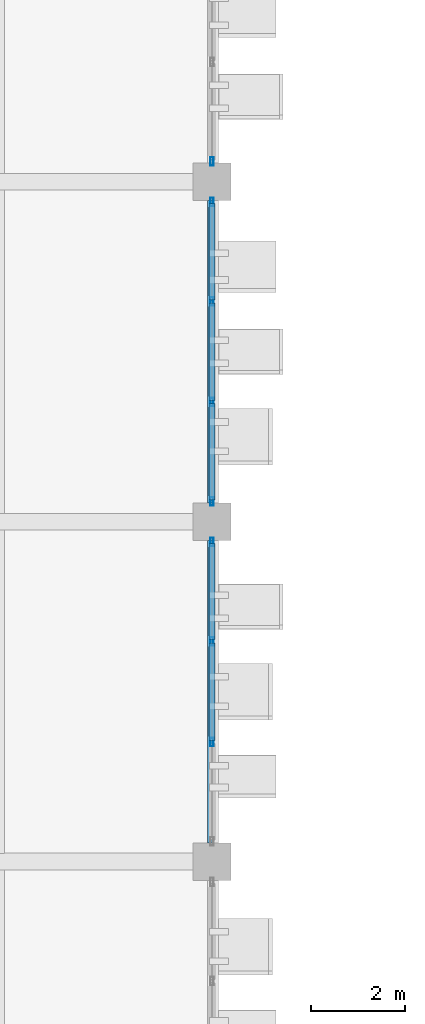
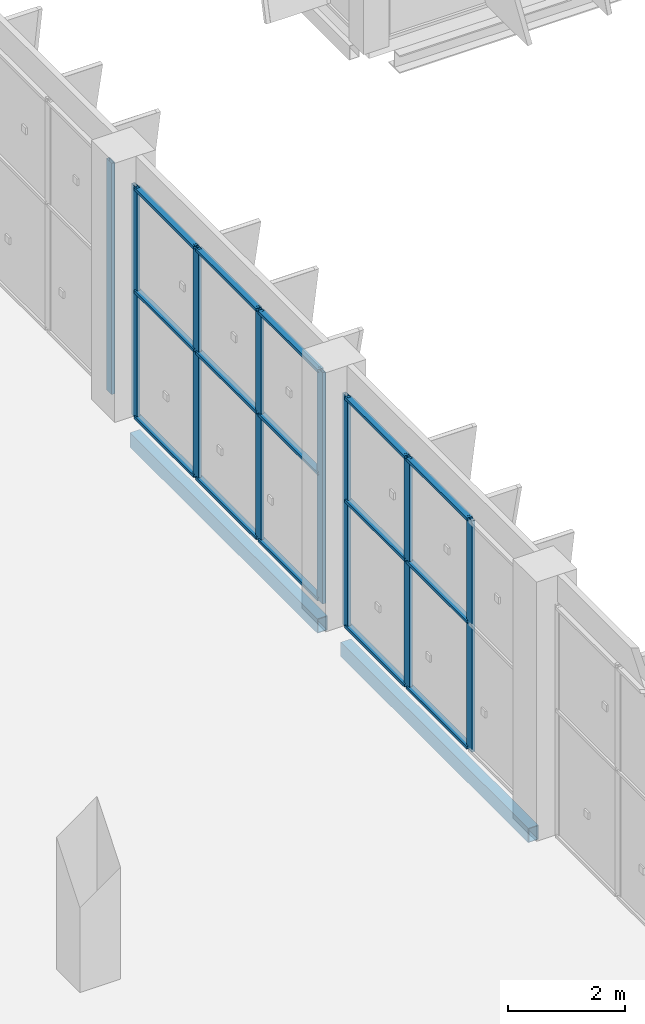
# One storey, part 58 of 137: 23 members, 2 beams, 3 elements without a shape of their own.
"""IFC4 building model written with IfcOpenShell, lengths in metres."""

from ifc_helpers import new_model, si_unit, direction, frame, origin, origin_2d, place, context, subcontext, project, spatial, hollow_rectangle, extrude, material, layer, layer_set, material_profile, profile_set, type_object, element, aggregate, save


model = new_model("IFC4")

# Units and contexts
model_context = context("Model", 3, precision=1e-05, world=origin(), true_north=direction((0.0, 1.0)))
body_context = subcontext(model_context, "Body", "Model", "MODEL_VIEW")
ifc_project = project(units=[si_unit("LENGTHUNIT", "METRE"), si_unit("AREAUNIT", "SQUARE_METRE"), si_unit("VOLUMEUNIT", "CUBIC_METRE"), si_unit("PLANEANGLEUNIT", "RADIAN"), si_unit("MASSUNIT", "GRAM", prefix="KILO")], contexts=[model_context])

# Site, building, storey
site_placement = place(None, origin())
site = spatial("IfcSite", under=ifc_project, at=site_placement, CompositionType="ELEMENT")
building_placement = place(site_placement, origin())
building = spatial("IfcBuilding", under=site, at=building_placement, Name="Celestram Park Convention Centre", CompositionType="ELEMENT")
storey_placement = place(building_placement, origin())
storey = spatial("IfcBuildingStorey", under=building, at=storey_placement, Name="L00", CompositionType="ELEMENT", Elevation=0.0)

# Curtain wall, member
ifc_material_1 = material(Name="Anodised Aluminium Alloy 6063-T6", Category="aluminium")
ifc_layer = layer(ifc_material_1, 0.179931640625)
ifc_layer_set = layer_set([ifc_layer], Name="Anodised Aluminium Alloy 6063-T6")
curtain_wall_type = type_object("IfcCurtainWallType", Name="ARC-CW-640X482", PredefinedType="NOTDEFINED", material=ifc_layer_set)
curtain_wall_1_placement = place(storey_placement, origin())
curtain_wall_1 = element("IfcCurtainWall", 1, at=curtain_wall_1_placement, inside=storey, type_object=curtain_wall_type, Name="Unitised curtain wall CU-L00-007", PredefinedType="NOTDEFINED")
ifc_material_profile_1 = material_profile(ifc_material_1, hollow_rectangle(XDim=0.06494140625, YDim=0.179931640625, WallThickness=0.00390625, at=origin_2d()), Name="ALU65X180X4")
ifc_profile_set_1 = profile_set([ifc_material_profile_1], Name="Anodised Aluminium Alloy 6063-T6")
member_type_1 = type_object("IfcMemberType", Name="ARC-CWM-150", PredefinedType="MULLION", material=ifc_profile_set_1)
member_1_placement = place(storey_placement, frame((144.0, 108.430419921875, 0.0), z_axis=(0.0, 0.0, 1.0), x_axis=(1.0, 0.0, 0.0)))
member_1 = element("IfcMember", 2, at=member_1_placement, type_object=member_type_1, Name="CW-64X48 mullion 4", PredefinedType="MULLION", context=body_context, shape_type="SweptSolid", body=[
    extrude(hollow_rectangle(XDim=0.06494140625, YDim=0.179931640625, WallThickness=0.00390625, at=origin_2d()), origin(), (0.0, 0.0, 1.0), 4.820068359375),
])
aggregate(curtain_wall_1, [member_1])

# Curtain wall, members
curtain_wall_2_placement = place(storey_placement, origin())
curtain_wall_2 = element("IfcCurtainWall", 3, at=curtain_wall_2_placement, inside=storey, type_object=curtain_wall_type, Name="Unitised curtain wall CU-L00-008", PredefinedType="NOTDEFINED")
member_2_placement = place(storey_placement, frame((144.0, 107.569580078125, 0.0), z_axis=(0.0, 0.0, 1.0), x_axis=(1.0, 0.0, 0.0)))
member_2 = element("IfcMember", 4, at=member_2_placement, type_object=member_type_1, Name="CW-64X48 mullion 1", PredefinedType="MULLION", context=body_context, shape_type="SweptSolid", body=[
    extrude(hollow_rectangle(XDim=0.06494140625, YDim=0.179931640625, WallThickness=0.00390625, at=origin_2d()), origin(), (0.0, 0.0, 1.0), 4.820068359375),
])
member_3_placement = place(storey_placement, frame((144.0, 105.46728515625, 0.0), z_axis=(0.0, 0.0, 1.0), x_axis=(1.0, 0.0, 0.0)))
member_3 = element("IfcMember", 5, at=member_3_placement, type_object=member_type_1, Name="CW-64X48 mullion 2", PredefinedType="MULLION", context=body_context, shape_type="SweptSolid", body=[
    extrude(hollow_rectangle(XDim=0.06494140625, YDim=0.179931640625, WallThickness=0.00390625, at=origin_2d()), origin(), (0.0, 0.0, 1.0), 4.820068359375),
])
member_4_placement = place(storey_placement, frame((144.0, 103.332763671875, 0.0), z_axis=(0.0, 0.0, 1.0), x_axis=(1.0, 0.0, 0.0)))
member_4 = element("IfcMember", 6, at=member_4_placement, type_object=member_type_1, Name="CW-64X48 mullion 3", PredefinedType="MULLION", context=body_context, shape_type="SweptSolid", body=[
    extrude(hollow_rectangle(XDim=0.06494140625, YDim=0.179931640625, WallThickness=0.00390625, at=origin_2d()), origin(), (0.0, 0.0, 1.0), 4.820068359375),
])
member_5_placement = place(storey_placement, frame((144.0, 101.23046875, 0.0), z_axis=(0.0, 0.0, 1.0), x_axis=(1.0, 0.0, 0.0)))
member_5 = element("IfcMember", 7, at=member_5_placement, type_object=member_type_1, Name="CW-64X48 mullion 4", PredefinedType="MULLION", context=body_context, shape_type="SweptSolid", body=[
    extrude(hollow_rectangle(XDim=0.06494140625, YDim=0.179931640625, WallThickness=0.00390625, at=origin_2d()), origin(), (0.0, 0.0, 1.0), 4.820068359375),
])

curtain_wall_3_placement = place(storey_placement, origin())
curtain_wall_3 = element("IfcCurtainWall", 8, at=curtain_wall_3_placement, inside=storey, type_object=curtain_wall_type, Name="Unitised curtain wall CU-L00-009", PredefinedType="NOTDEFINED")
member_6_placement = place(storey_placement, frame((144.0, 100.369384765625, 0.0), z_axis=(0.0, 0.0, 1.0), x_axis=(1.0, 0.0, 0.0)))
member_6 = element("IfcMember", 9, at=member_6_placement, type_object=member_type_1, Name="CW-64X48 mullion 1", PredefinedType="MULLION", context=body_context, shape_type="SweptSolid", body=[
    extrude(hollow_rectangle(XDim=0.06494140625, YDim=0.179931640625, WallThickness=0.00390625, at=origin_2d()), origin(), (0.0, 0.0, 1.0), 4.820068359375),
])
member_7_placement = place(storey_placement, frame((144.0, 98.267333984375, 0.0), z_axis=(0.0, 0.0, 1.0), x_axis=(1.0, 0.0, 0.0)))
member_7 = element("IfcMember", 10, at=member_7_placement, type_object=member_type_1, Name="CW-64X48 mullion 2", PredefinedType="MULLION", context=body_context, shape_type="SweptSolid", body=[
    extrude(hollow_rectangle(XDim=0.06494140625, YDim=0.179931640625, WallThickness=0.00390625, at=origin_2d()), origin(), (0.0, 0.0, 1.0), 4.820068359375),
])
member_8_placement = place(storey_placement, frame((144.0, 96.132568359375, 0.0), z_axis=(0.0, 0.0, 1.0), x_axis=(1.0, 0.0, 0.0)))
member_8 = element("IfcMember", 11, at=member_8_placement, type_object=member_type_1, Name="CW-64X48 mullion 3", PredefinedType="MULLION", context=body_context, shape_type="SweptSolid", body=[
    extrude(hollow_rectangle(XDim=0.06494140625, YDim=0.179931640625, WallThickness=0.00390625, at=origin_2d()), origin(), (0.0, 0.0, 1.0), 4.820068359375),
])

# Member
ifc_material_profile_2 = material_profile(ifc_material_1, hollow_rectangle(XDim=0.1201171875, YDim=0.06005859375, WallThickness=0.0029296875, at=origin_2d()), Name="ALU120X60X3")
ifc_profile_set_2 = profile_set([ifc_material_profile_2], Name="Anodised Aluminium Alloy 6063-T6")
member_type_2 = type_object("IfcMemberType", Name="ARC-CWT-120", PredefinedType="USERDEFINED", material=ifc_profile_set_2)
member_9_placement = place(storey_placement, frame((144.0, 107.537109375, 0.030029296875), z_axis=(0.0, -1.0, 0.0), x_axis=(1.0, 0.0, 0.0)))
member_9 = element("IfcMember", 12, at=member_9_placement, type_object=member_type_2, Name="CW-64X48 transom 1.1", ObjectType="TRANSOM", PredefinedType="USERDEFINED", context=body_context, shape_type="SweptSolid", body=[
    extrude(hollow_rectangle(XDim=0.1201171875, YDim=0.06005859375, WallThickness=0.0029296875, at=origin_2d()), origin(), (0.0, 0.0, 1.0), 2.037353515625),
])

member_10_placement = place(storey_placement, frame((144.0, 107.537109375, 2.64990234375), z_axis=(0.0, -1.0, 0.0), x_axis=(1.0, 0.0, 0.0)))
member_10 = element("IfcMember", 13, at=member_10_placement, type_object=member_type_2, Name="CW-64X48 transom 1.2", ObjectType="TRANSOM", PredefinedType="USERDEFINED", context=body_context, shape_type="SweptSolid", body=[
    extrude(hollow_rectangle(XDim=0.1201171875, YDim=0.06005859375, WallThickness=0.0029296875, at=origin_2d()), origin(), (0.0, 0.0, 1.0), 2.037353515625),
])

member_11_placement = place(storey_placement, frame((144.0, 107.537109375, 4.7900390625), z_axis=(0.0, -1.0, 0.0), x_axis=(1.0, 0.0, 0.0)))
member_11 = element("IfcMember", 14, at=member_11_placement, type_object=member_type_2, Name="CW-64X48 transom 1.3", ObjectType="TRANSOM", PredefinedType="USERDEFINED", context=body_context, shape_type="SweptSolid", body=[
    extrude(hollow_rectangle(XDim=0.1201171875, YDim=0.06005859375, WallThickness=0.0029296875, at=origin_2d()), origin(), (0.0, 0.0, 1.0), 2.037353515625),
])

member_12_placement = place(storey_placement, frame((144.0, 105.434814453125, 0.030029296875), z_axis=(0.0, -1.0, 0.0), x_axis=(1.0, 0.0, 0.0)))
member_12 = element("IfcMember", 15, at=member_12_placement, type_object=member_type_2, Name="CW-64X48 transom 2.1", ObjectType="TRANSOM", PredefinedType="USERDEFINED", context=body_context, shape_type="SweptSolid", body=[
    extrude(hollow_rectangle(XDim=0.1201171875, YDim=0.06005859375, WallThickness=0.0029296875, at=origin_2d()), origin(), (0.0, 0.0, 1.0), 2.069580078125),
])

member_13_placement = place(storey_placement, frame((144.0, 105.434814453125, 2.64990234375), z_axis=(0.0, -1.0, 0.0), x_axis=(1.0, 0.0, 0.0)))
member_13 = element("IfcMember", 16, at=member_13_placement, type_object=member_type_2, Name="CW-64X48 transom 2.2", ObjectType="TRANSOM", PredefinedType="USERDEFINED", context=body_context, shape_type="SweptSolid", body=[
    extrude(hollow_rectangle(XDim=0.1201171875, YDim=0.06005859375, WallThickness=0.0029296875, at=origin_2d()), origin(), (0.0, 0.0, 1.0), 2.069580078125),
])

member_14_placement = place(storey_placement, frame((144.0, 105.434814453125, 4.7900390625), z_axis=(0.0, -1.0, 0.0), x_axis=(1.0, 0.0, 0.0)))
member_14 = element("IfcMember", 17, at=member_14_placement, type_object=member_type_2, Name="CW-64X48 transom 2.3", ObjectType="TRANSOM", PredefinedType="USERDEFINED", context=body_context, shape_type="SweptSolid", body=[
    extrude(hollow_rectangle(XDim=0.1201171875, YDim=0.06005859375, WallThickness=0.0029296875, at=origin_2d()), origin(), (0.0, 0.0, 1.0), 2.069580078125),
])

member_15_placement = place(storey_placement, frame((144.0, 103.300048828125, 0.030029296875), z_axis=(0.0, -1.0, 0.0), x_axis=(1.0, 0.0, 0.0)))
member_15 = element("IfcMember", 18, at=member_15_placement, type_object=member_type_2, Name="CW-64X48 transom 3.1", ObjectType="TRANSOM", PredefinedType="USERDEFINED", context=body_context, shape_type="SweptSolid", body=[
    extrude(hollow_rectangle(XDim=0.1201171875, YDim=0.06005859375, WallThickness=0.0029296875, at=origin_2d()), origin(), (0.0, 0.0, 1.0), 2.037109375),
])

member_16_placement = place(storey_placement, frame((144.0, 103.300048828125, 2.64990234375), z_axis=(0.0, -1.0, 0.0), x_axis=(1.0, 0.0, 0.0)))
member_16 = element("IfcMember", 19, at=member_16_placement, type_object=member_type_2, Name="CW-64X48 transom 3.2", ObjectType="TRANSOM", PredefinedType="USERDEFINED", context=body_context, shape_type="SweptSolid", body=[
    extrude(hollow_rectangle(XDim=0.1201171875, YDim=0.06005859375, WallThickness=0.0029296875, at=origin_2d()), origin(), (0.0, 0.0, 1.0), 2.037109375),
])

member_17_placement = place(storey_placement, frame((144.0, 103.300048828125, 4.7900390625), z_axis=(0.0, -1.0, 0.0), x_axis=(1.0, 0.0, 0.0)))
member_17 = element("IfcMember", 20, at=member_17_placement, type_object=member_type_2, Name="CW-64X48 transom 3.3", ObjectType="TRANSOM", PredefinedType="USERDEFINED", context=body_context, shape_type="SweptSolid", body=[
    extrude(hollow_rectangle(XDim=0.1201171875, YDim=0.06005859375, WallThickness=0.0029296875, at=origin_2d()), origin(), (0.0, 0.0, 1.0), 2.037109375),
])

aggregate(curtain_wall_2, [member_2, member_3, member_4, member_5, member_9, member_10, member_11, member_12, member_13, member_14, member_15, member_16, member_17])

member_18_placement = place(storey_placement, frame((144.0, 100.3369140625, 0.030029296875), z_axis=(0.0, -1.0, 0.0), x_axis=(1.0, 0.0, 0.0)))
member_18 = element("IfcMember", 21, at=member_18_placement, type_object=member_type_2, Name="CW-64X48 transom 1.1", ObjectType="TRANSOM", PredefinedType="USERDEFINED", context=body_context, shape_type="SweptSolid", body=[
    extrude(hollow_rectangle(XDim=0.1201171875, YDim=0.06005859375, WallThickness=0.0029296875, at=origin_2d()), origin(), (0.0, 0.0, 1.0), 2.037109375),
])

member_19_placement = place(storey_placement, frame((144.0, 100.3369140625, 2.64990234375), z_axis=(0.0, -1.0, 0.0), x_axis=(1.0, 0.0, 0.0)))
member_19 = element("IfcMember", 22, at=member_19_placement, type_object=member_type_2, Name="CW-64X48 transom 1.2", ObjectType="TRANSOM", PredefinedType="USERDEFINED", context=body_context, shape_type="SweptSolid", body=[
    extrude(hollow_rectangle(XDim=0.1201171875, YDim=0.06005859375, WallThickness=0.0029296875, at=origin_2d()), origin(), (0.0, 0.0, 1.0), 2.037109375),
])

member_20_placement = place(storey_placement, frame((144.0, 100.3369140625, 4.7900390625), z_axis=(0.0, -1.0, 0.0), x_axis=(1.0, 0.0, 0.0)))
member_20 = element("IfcMember", 23, at=member_20_placement, type_object=member_type_2, Name="CW-64X48 transom 1.3", ObjectType="TRANSOM", PredefinedType="USERDEFINED", context=body_context, shape_type="SweptSolid", body=[
    extrude(hollow_rectangle(XDim=0.1201171875, YDim=0.06005859375, WallThickness=0.0029296875, at=origin_2d()), origin(), (0.0, 0.0, 1.0), 2.037109375),
])

member_21_placement = place(storey_placement, frame((144.0, 98.23486328125, 0.030029296875), z_axis=(0.0, -1.0, 0.0), x_axis=(1.0, 0.0, 0.0)))
member_21 = element("IfcMember", 24, at=member_21_placement, type_object=member_type_2, Name="CW-64X48 transom 2.1", ObjectType="TRANSOM", PredefinedType="USERDEFINED", context=body_context, shape_type="SweptSolid", body=[
    extrude(hollow_rectangle(XDim=0.1201171875, YDim=0.06005859375, WallThickness=0.0029296875, at=origin_2d()), origin(), (0.0, 0.0, 1.0), 2.069580078125),
])

member_22_placement = place(storey_placement, frame((144.0, 98.23486328125, 2.64990234375), z_axis=(0.0, -1.0, 0.0), x_axis=(1.0, 0.0, 0.0)))
member_22 = element("IfcMember", 25, at=member_22_placement, type_object=member_type_2, Name="CW-64X48 transom 2.2", ObjectType="TRANSOM", PredefinedType="USERDEFINED", context=body_context, shape_type="SweptSolid", body=[
    extrude(hollow_rectangle(XDim=0.1201171875, YDim=0.06005859375, WallThickness=0.0029296875, at=origin_2d()), origin(), (0.0, 0.0, 1.0), 2.069580078125),
])

member_23_placement = place(storey_placement, frame((144.0, 98.23486328125, 4.7900390625), z_axis=(0.0, -1.0, 0.0), x_axis=(1.0, 0.0, 0.0)))
member_23 = element("IfcMember", 26, at=member_23_placement, type_object=member_type_2, Name="CW-64X48 transom 2.3", ObjectType="TRANSOM", PredefinedType="USERDEFINED", context=body_context, shape_type="SweptSolid", body=[
    extrude(hollow_rectangle(XDim=0.1201171875, YDim=0.06005859375, WallThickness=0.0029296875, at=origin_2d()), origin(), (0.0, 0.0, 1.0), 2.069580078125),
])

aggregate(curtain_wall_3, [member_6, member_7, member_8, member_18, member_19, member_20, member_21, member_22, member_23])

# Beams
ifc_material_2 = material(Name="Steel ASTM A500 Grade C", Category="steel")
ifc_material_profile_3 = material_profile(ifc_material_2, hollow_rectangle(XDim=0.199951171875, YDim=0.300048828125, WallThickness=0.011962890625, at=origin_2d()), Name="HSS300X200X12")
ifc_profile_set_3 = profile_set([ifc_material_profile_3], Name="Steel ASTM A500 Grade C")
beam_type = type_object("IfcBeamType", Name="STR-SPN-HSS300X200", PredefinedType="SPANDREL", material=ifc_profile_set_3)
for number, where, z_axis, x_axis, name in (
    (27, (144.0, 93.998046875, -0.469970703125), (0.0, 1.0, 0.0), (-1.0, 0.0, 0.0), "Primary Y-girder BG-L00-0678"),
    (28, (144.0, 101.197998046875, -0.469970703125), (0.0, 1.0, 0.0), (-1.0, 0.0, 0.0), "Primary Y-girder BG-L00-0679"),
):
    element("IfcBeam", number, at=place(storey_placement, frame(where, z_axis=z_axis, x_axis=x_axis)), inside=storey, type_object=beam_type, Name=name, PredefinedType="SPANDREL", context=body_context, shape_type="SweptSolid", body=[
        extrude(hollow_rectangle(XDim=0.199951171875, YDim=0.300048828125, WallThickness=0.011962890625, at=origin_2d()), origin(), (0.0, 0.0, 1.0), 6.404052734375),
    ])

save(model, "model.ifc")
